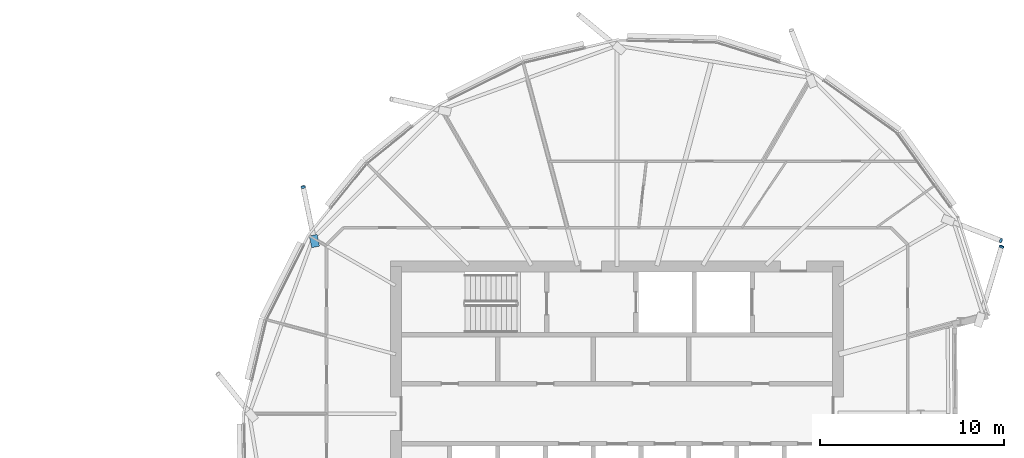
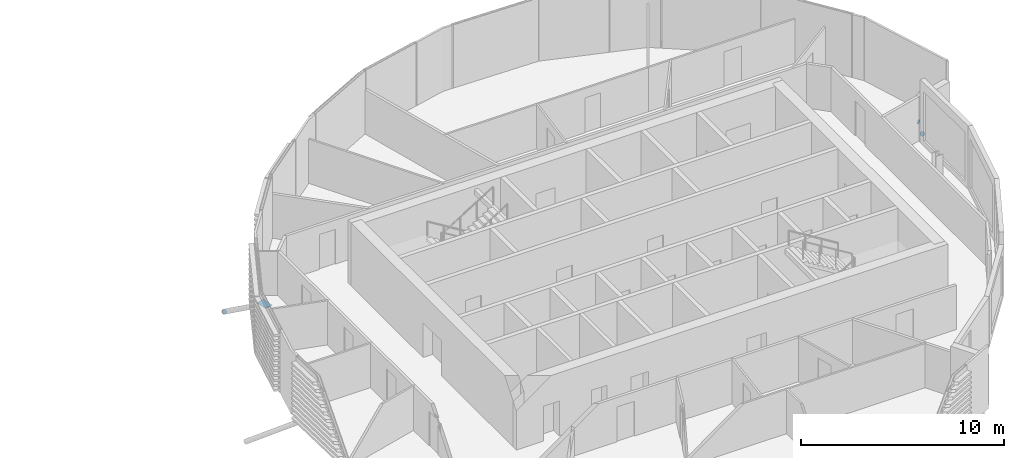
# One storey, part 29 of 36: 4 discrete accessories.
"""IFC4 building model written with IfcOpenShell, lengths in metres."""

from ifc_helpers import new_model, si_unit, direction, frame, origin, origin_2d, place, context, subcontext, project, spatial, polyline, rectangle, circle, outline, extrude, material, material_profile, profile_set, type_object, element, save


model = new_model("IFC4")

# Units and contexts
model_context = context("Model", 3, precision=1e-05, world=origin(), true_north=direction((0.0, 1.0)))
body_context = subcontext(model_context, "Body", "Model", "MODEL_VIEW")
ifc_project = project(units=[si_unit("LENGTHUNIT", "METRE"), si_unit("AREAUNIT", "SQUARE_METRE"), si_unit("VOLUMEUNIT", "CUBIC_METRE"), si_unit("PLANEANGLEUNIT", "RADIAN"), si_unit("MASSUNIT", "GRAM", prefix="KILO")], contexts=[model_context])

# Site, building, storey
site_placement = place(None, origin())
site = spatial("IfcSite", under=ifc_project, at=site_placement, CompositionType="ELEMENT")
building_placement = place(site_placement, origin())
building = spatial("IfcBuilding", under=site, at=building_placement, Name="Rimbun Link Towers", CompositionType="ELEMENT")
storey_placement = place(building_placement, frame((0.0, 0.0, 200.699951171875)))
storey = spatial("IfcBuildingStorey", under=building, at=storey_placement, Name="L49", CompositionType="ELEMENT", Elevation=200.699951171875)

# Discrete accessories
ifc_material_1 = material(Name="Steel S355J2H", Category="steel")
ifc_material_profile_1 = material_profile(ifc_material_1, circle(Radius=0.1240234375, at=origin_2d()), Name="PL D248")
ifc_profile_set_1 = profile_set([ifc_material_profile_1], Name="Steel S355J2H")
discrete_accessory_type_1 = type_object("IfcDiscreteAccessoryType", Name="Link foot sealing plate D248X20", PredefinedType="BRACKET", material=ifc_profile_set_1)
for number, where, z_axis, x_axis, name in (
    (1, (14.709228515625, 12.294677734375, -2.489013671875), (-0.169762455451, 0.812434608229, -0.557790925053), (-0.978858699876, -0.20453763878, 0.0), "Link foot sealing plate T2 L49 07"),
    (2, (52.614013671875, 9.0556640625, -3.08349609375), (0.244906119457, 0.857171418099, -0.453076320995), (-0.961523947641, 0.274721127897, 0.0), "Link foot sealing plate T2 L49 22"),
    (3, (52.57958984375, 9.39892578125, -2.552734375), (0.779214105364, -0.304380509908, -0.547884917834), (0.36385052714, 0.93145734948, 0.0), "Link foot sealing plate T2 L49 23"),
):
    element("IfcDiscreteAccessory", number, at=place(storey_placement, frame(where, z_axis=z_axis, x_axis=x_axis)), inside=storey, type_object=discrete_accessory_type_1, Name=name, PredefinedType="BRACKET", context=body_context, shape_type="SweptSolid", body=[
        extrude(circle(Radius=0.1240234375, at=origin_2d()), origin(), (0.0, 0.0, 1.0), 0.02001953125),
    ])
ifc_material_2 = material(Name="Steel S355J2H", Category="steel")
ifc_material_profile_2 = material_profile(ifc_material_2, rectangle(XDim=0.43310546875, YDim=0.43310546875, at=origin_2d()), Name="PL 433x433")
ifc_profile_set_2 = profile_set([ifc_material_profile_2], Name="Steel S355J2H")
discrete_accessory_type_2 = type_object("IfcDiscreteAccessoryType", Name="Link head end plate 433X20", PredefinedType="BRACKET", material=ifc_profile_set_2)
discrete_accessory_placement = place(storey_placement, frame((0.0, 0.0, -0.473388671875)))
element("IfcDiscreteAccessory", 4, at=discrete_accessory_placement, inside=storey, type_object=discrete_accessory_type_2, Name="Link head end plate T2 L49 07", PredefinedType="BRACKET", context=body_context, shape_type="SweptSolid", body=[
    extrude(outline(polyline([(15.59228515625, 9.096435546875), (15.4609375, 9.73095703125), (15.037109375, 9.643310546875), (15.168212890625, 9.008544921875), (15.59228515625, 9.096435546875)])), origin(), (0.0, 0.0, 1.0), 0.02001953125),
])

save(model, "model.ifc")
